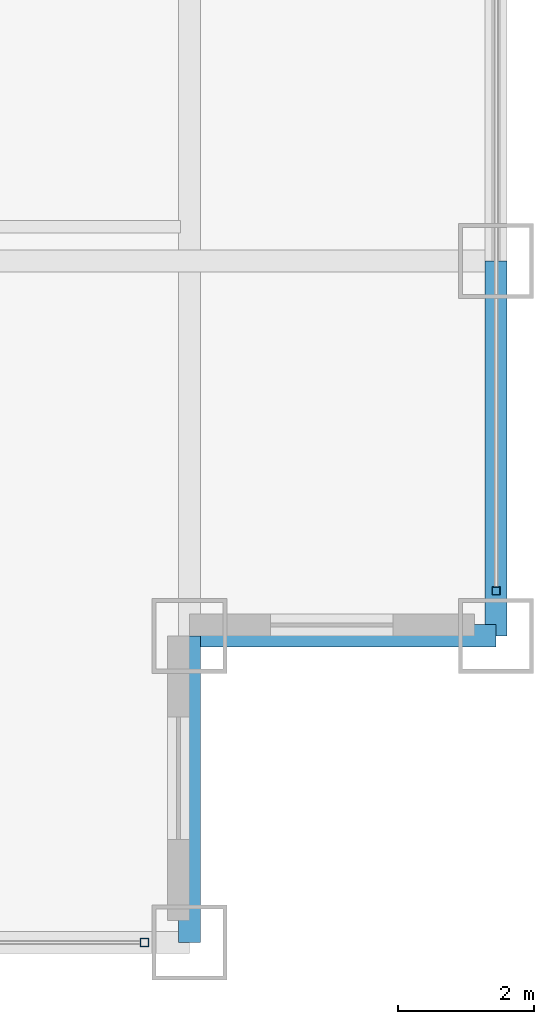
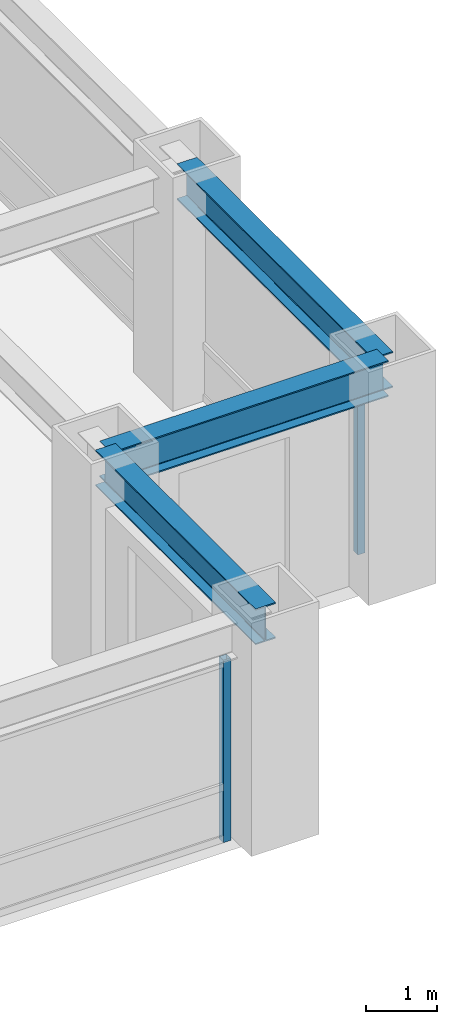
# One storey, part 8 of 25: 3 beams, 2 members, 2 elements without a shape of their own.
"""IFC4 building model written with IfcOpenShell, lengths in metres."""

from ifc_helpers import new_model, si_unit, direction, frame, origin, origin_2d, place, context, subcontext, project, spatial, hollow_rectangle, i_section, extrude, source, transform, mapped, material, material_profile, profile_set, type_object, element, aggregate, save


model = new_model("IFC4")

# Units and contexts
model_context = context("Model", 3, precision=1e-05, world=origin(), true_north=direction((0.0, 1.0)))
body_context = subcontext(model_context, "Body", "Model", "MODEL_VIEW")
ifc_project = project(units=[si_unit("LENGTHUNIT", "METRE"), si_unit("AREAUNIT", "SQUARE_METRE"), si_unit("VOLUMEUNIT", "CUBIC_METRE"), si_unit("PLANEANGLEUNIT", "RADIAN"), si_unit("MASSUNIT", "GRAM", prefix="KILO")], contexts=[model_context])

# Site, building, storey
site_placement = place(None, origin())
site = spatial("IfcSite", under=ifc_project, at=site_placement, CompositionType="ELEMENT")
building_placement = place(site_placement, origin())
building = spatial("IfcBuilding", under=site, at=building_placement, Name="Khorayat Bourse Tower", CompositionType="ELEMENT")
storey_placement = place(building_placement, frame((0.0, 0.0, 199.10009765625)))
storey = spatial("IfcBuildingStorey", under=building, at=storey_placement, Name="L46", CompositionType="ELEMENT", Elevation=199.10009765625)

# Beams
ifc_material_1 = material(Name="Steel ASTM A992 Grade 50", Category="steel")
ifc_material_profile_1 = material_profile(ifc_material_1, i_section(OverallWidth=0.324951171875, OverallDepth=0.615966796875, WebThickness=0.013916015625, FlangeThickness=0.021484375, FilletRadius=0.01611328125, at=origin_2d()), Name="W610X174")
ifc_profile_set_1 = profile_set([ifc_material_profile_1], Name="Steel ASTM A992 Grade 50")
beam_type = type_object("IfcBeamType", Name="BM-SPAN-610", PredefinedType="SPANDREL", material=ifc_profile_set_1)
shared_shape_1 = source(origin(), body_context, "Body", "SweptSolid", [
    extrude(i_section(OverallWidth=0.324951171875, OverallDepth=0.615966796875, WebThickness=0.013916015625, FlangeThickness=0.021484375, FilletRadius=0.01611328125, at=origin_2d()), origin(), (0.0, 0.0, 1.0), 5.5),
])
beam_placement = place(storey_placement, frame((30.0, -25.5, 3.471923828125), z_axis=(0.0, 1.0, 0.0), x_axis=(-1.0, 0.0, 0.0)))
element("IfcBeam", 1, at=beam_placement, inside=storey, type_object=beam_type, Name="L46 BM-SPAN-610 BM-L46-SPN-034", PredefinedType="SPANDREL", context=body_context, shape_type="MappedRepresentation", body=[
    mapped(shared_shape_1, transform((0.0, 0.0, 0.0), scale=1.0)),
])
shared_shape_2 = source(origin(), body_context, "Body", "SweptSolid", [
    extrude(i_section(OverallWidth=0.324951171875, OverallDepth=0.615966796875, WebThickness=0.013916015625, FlangeThickness=0.021484375, FilletRadius=0.01611328125, at=origin_2d()), origin(), (0.0, 0.0, 1.0), 4.5),
])
for number, where, z_axis, x_axis, name in (
    (2, (25.5, -30.0, 3.471923828125), (0.0, 1.0, 0.0), (-1.0, 0.0, 0.0), "L46 BM-SPAN-610 BM-L46-SPN-032"),
    (3, (25.5, -25.5, 3.471923828125), (1.0, 0.0, 0.0), (0.0, 1.0, 0.0), "L46 BM-SPAN-610 BM-L46-SPN-033"),
):
    element("IfcBeam", number, at=place(storey_placement, frame(where, z_axis=z_axis, x_axis=x_axis)), inside=storey, type_object=beam_type, Name=name, PredefinedType="SPANDREL", context=body_context, shape_type="MappedRepresentation", body=[
        mapped(shared_shape_2, transform((0.0, 0.0, 0.0), scale=1.0)),
    ])

# Curtain wall, member
ifc_material_2 = material(Name="Aluminium EN AW-6063 T6", Category="aluminium")
curtain_wall_type = type_object("IfcCurtainWallType", Name="CW-SYS-03", PredefinedType="NOTDEFINED", material=ifc_material_2)
curtain_wall_1_placement = place(storey_placement, origin())
curtain_wall_1 = element("IfcCurtainWall", 4, at=curtain_wall_1_placement, inside=storey, type_object=curtain_wall_type, Name="L46 Curtain Wall CW-L46-S1", PredefinedType="NOTDEFINED")
ifc_material_profile_2 = material_profile(ifc_material_2, hollow_rectangle(XDim=0.1201171875, YDim=0.1201171875, WallThickness=0.0048828125, at=origin_2d()), Name="ALU 120x120x5")
ifc_profile_set_2 = profile_set([ifc_material_profile_2], Name="Aluminium EN AW-6063 T6")
member_type = type_object("IfcMemberType", Name="CWM-VERT-120", PredefinedType="MULLION", material=ifc_profile_set_2)
shared_shape_3 = source(origin(), body_context, "Body", "SweptSolid", [
    extrude(hollow_rectangle(XDim=0.1201171875, YDim=0.1201171875, WallThickness=0.0048828125, at=origin_2d()), origin(), (0.0, 0.0, 1.0), 3.1298828125),
])
member_1_placement = place(storey_placement, frame((24.840087890625, -30.0, 0.0), z_axis=(0.0, 0.0, 1.0), x_axis=(0.0, 1.0, 0.0)))
member_1 = element("IfcMember", 5, at=member_1_placement, type_object=member_type, Name="CW-L46-S1 Vertical Mullion 3", PredefinedType="MULLION", context=body_context, shape_type="MappedRepresentation", body=[
    mapped(shared_shape_3, transform((0.0, 0.0, 0.0), scale=1.0)),
])
aggregate(curtain_wall_1, [member_1])

curtain_wall_2_placement = place(storey_placement, origin())
curtain_wall_2 = element("IfcCurtainWall", 6, at=curtain_wall_2_placement, inside=storey, type_object=curtain_wall_type, Name="L46 Curtain Wall CW-L46-E1", PredefinedType="NOTDEFINED")
member_2_placement = place(storey_placement, frame((30.0, -24.840087890625, 0.0), z_axis=(0.0, 0.0, 1.0), x_axis=(-1.0, 0.0, 0.0)))
member_2 = element("IfcMember", 7, at=member_2_placement, type_object=member_type, Name="CW-L46-E1 Vertical Mullion 1", PredefinedType="MULLION", context=body_context, shape_type="MappedRepresentation", body=[
    mapped(shared_shape_3, transform((0.0, 0.0, 0.0), scale=1.0)),
])
aggregate(curtain_wall_2, [member_2])

save(model, "model.ifc")
